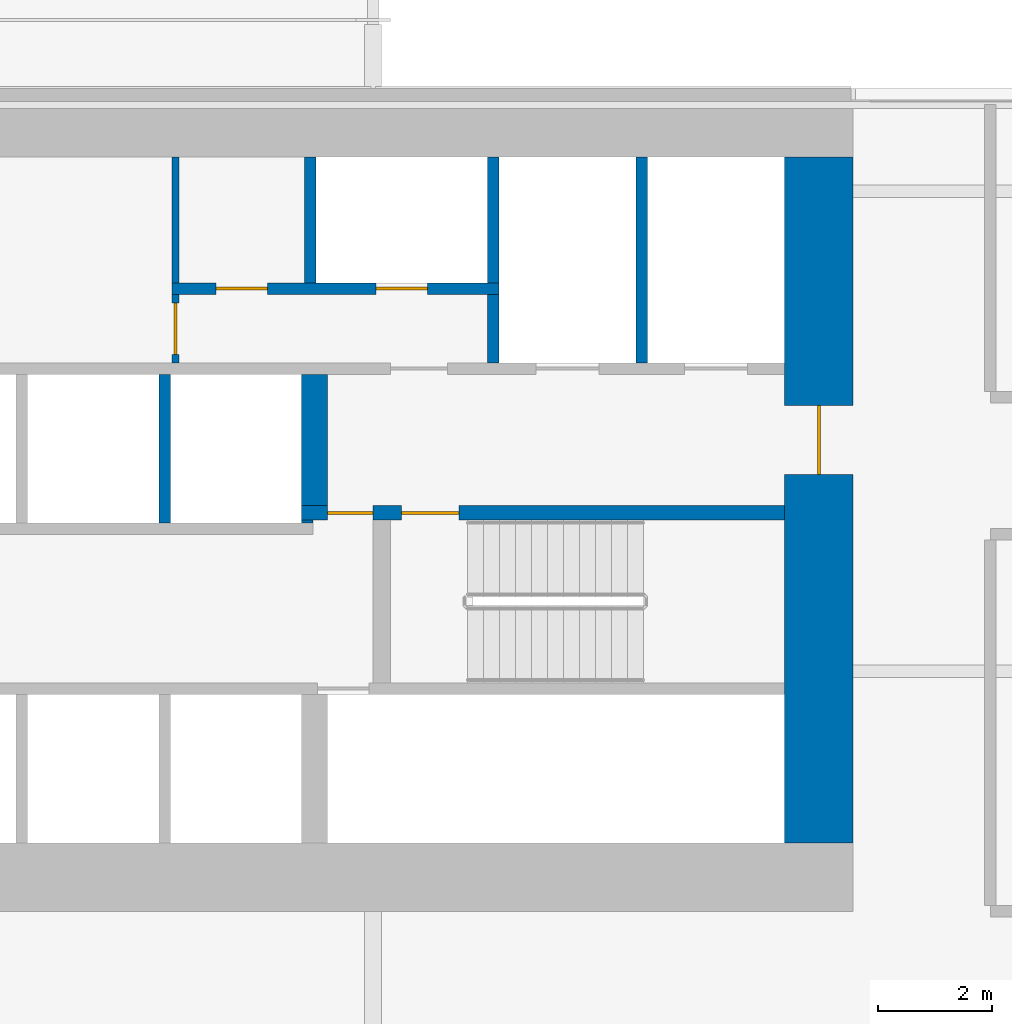
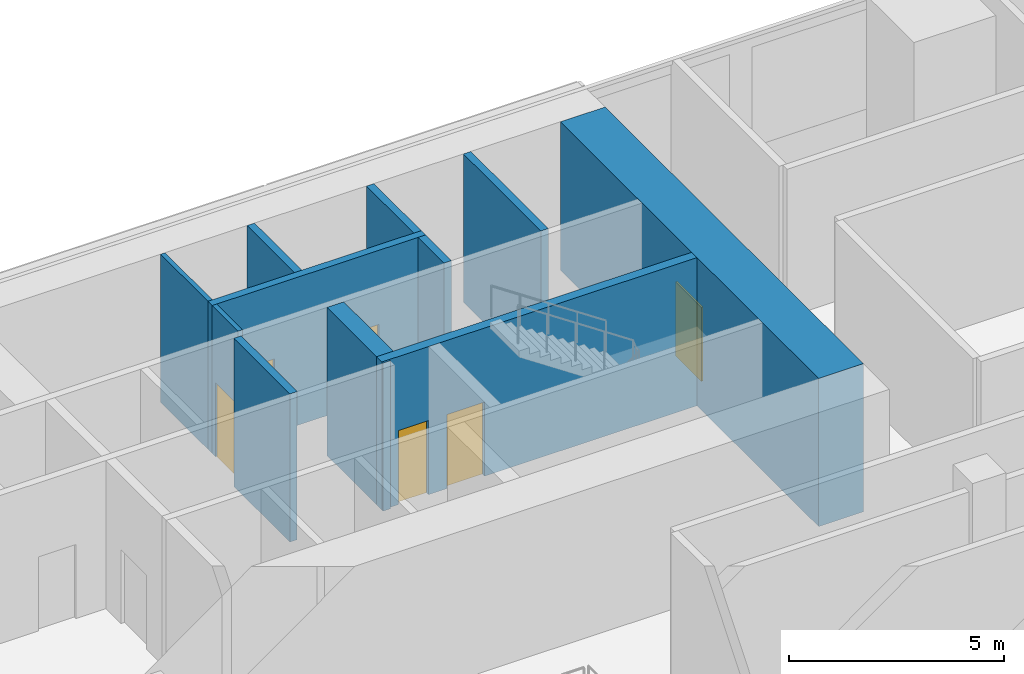
# One storey, part 17 of 24: 12 walls, 6 doors, 6 openings.
"""IFC4 building model written with IfcOpenShell, lengths in metres."""

from ifc_helpers import new_model, si_unit, direction, frame, frame_2d, origin, place, context, subcontext, project, spatial, rectangle, extrude, material, layer, layer_set, type_object, element, fill, save


model = new_model("IFC4")

# Units and contexts
model_context = context("Model", 3, precision=1e-05, world=origin(), true_north=direction((0.0, 1.0)))
body_context = subcontext(model_context, "Body", "Model", "MODEL_VIEW")
ifc_project = project(units=[si_unit("LENGTHUNIT", "METRE"), si_unit("AREAUNIT", "SQUARE_METRE"), si_unit("VOLUMEUNIT", "CUBIC_METRE"), si_unit("PLANEANGLEUNIT", "RADIAN"), si_unit("MASSUNIT", "GRAM", prefix="KILO")], contexts=[model_context])

# Site, building, storey
site_placement = place(None, origin())
site = spatial("IfcSite", under=ifc_project, at=site_placement, CompositionType="ELEMENT")
building_placement = place(site_placement, origin())
building = spatial("IfcBuilding", under=site, at=building_placement, Name="Saffron Gate Tower", CompositionType="ELEMENT")
storey_placement = place(building_placement, frame((0.0, 0.0, 28.199951171875)))
storey = spatial("IfcBuildingStorey", under=building, at=storey_placement, Name="L05", CompositionType="ELEMENT", Elevation=28.199951171875)

# Wall, opening, door
ifc_material_1 = material(Name="Concrete C70", Category="concrete")
ifc_layer_1 = layer(ifc_material_1, 1.199951171875)
ifc_layer_set_1 = layer_set([ifc_layer_1], Name="CW1 RC core wall 1200 C70")
wall_type_1 = type_object("IfcWallType", Name="CW1 RC core wall 1200 C70", PredefinedType="SOLIDWALL", material=ifc_layer_set_1)
wall_1_placement = place(storey_placement, frame((108.0, 62.39990234375, 0.0), z_axis=(0.0, 0.0, 1.0), x_axis=(0.0, 1.0, 0.0)))
wall_1 = element("IfcWall", 1, at=wall_1_placement, inside=storey, type_object=wall_type_1, Name="Wall CW1-L05-4", PredefinedType="SOLIDWALL", context=body_context, shape_type="SweptSolid", body=[
    extrude(rectangle(XDim=12.0, YDim=1.199951171875, at=frame_2d((6.0, 0.0))), origin(), (0.0, 0.0, 1.0), 4.199951171875),
])
opening_1_placement = place(wall_1_placement, frame((6.449951171875, 0.0, 0.0)))
opening_1 = element("IfcOpeningElement", 2, at=opening_1_placement, cuts=wall_1, Name="Opening CR-08", PredefinedType="OPENING", context=body_context, shape_type="SweptSolid", body=[
    extrude(rectangle(XDim=1.199951171875, YDim=2.10009765625, at=frame_2d((0.60009765625, 1.050048828125))), frame((0.0, 0.60986328125, 0.0), z_axis=(0.0, -1.0, 0.0), x_axis=(1.0, 0.0, 0.0)), (0.0, 0.0, 1.0), 1.219970703125),
])
ifc_material_2 = material(Name="Steel fire door set", Category="steel")
door_type_1 = type_object("IfcDoorType", Name="CD7 Core entrance door 1200x2100 EI 120", OperationType="NOTDEFINED", PredefinedType="DOOR", material=ifc_material_2)
door_1_placement = place(opening_1_placement, origin())
door_1 = element("IfcDoor", 3, at=door_1_placement, inside=storey, type_object=door_type_1, Name="DOOR CR-08", OperationType="SINGLE_SWING_RIGHT", OverallHeight=2.10009765625, OverallWidth=1.199951171875, PredefinedType="DOOR", context=body_context, shape_type="SweptSolid", body=[
    extrude(rectangle(XDim=1.199951171875, YDim=2.10009765625, at=frame_2d((0.60009765625, 1.050048828125))), frame((0.0, 0.02490234375, 0.0), z_axis=(0.0, -1.0, 0.0), x_axis=(1.0, 0.0, 0.0)), (0.0, 0.0, 1.0), 0.050048828125),
])
fill(opening_1, door_1)

# Wall, openings, doors
ifc_layer_2 = layer(ifc_material_1, 0.25)
ifc_layer_set_2 = layer_set([ifc_layer_2], Name="CW2 RC core wall 250 C70")
wall_type_2 = type_object("IfcWallType", Name="CW2 RC core wall 250 C70", PredefinedType="SOLIDWALL", material=ifc_layer_set_2)
wall_2_placement = place(storey_placement, frame((98.949951171875, 68.175048828125, 0.0), z_axis=(0.0, 0.0, 1.0), x_axis=(1.0, 0.0, 0.0)))
wall_2 = element("IfcWall", 4, at=wall_2_placement, inside=storey, type_object=wall_type_2, Name="Wall CW2-L05-31", PredefinedType="SOLIDWALL", context=body_context, shape_type="SweptSolid", body=[
    extrude(rectangle(XDim=8.449951171875, YDim=0.25, at=frame_2d((4.22509765625, 0.0))), origin(), (0.0, 0.0, 1.0), 4.199951171875),
])
opening_2_placement = place(wall_2_placement, frame((0.449951171875, 0.0, 0.0)))
opening_2 = element("IfcOpeningElement", 5, at=opening_2_placement, cuts=wall_2, Name="Opening CR-05", PredefinedType="OPENING", context=body_context, shape_type="SweptSolid", body=[
    extrude(rectangle(XDim=0.800048828125, YDim=2.10009765625, at=frame_2d((0.39990234375, 1.050048828125))), frame((0.0, 0.135009765625, 0.0), z_axis=(0.0, -1.0, 0.0), x_axis=(1.0, 0.0, 0.0)), (0.0, 0.0, 1.0), 0.27001953125),
])
opening_3_placement = place(wall_2_placement, frame((1.75, 0.0, 0.0)))
opening_3 = element("IfcOpeningElement", 6, at=opening_3_placement, cuts=wall_2, Name="Opening CR-16", PredefinedType="OPENING", context=body_context, shape_type="SweptSolid", body=[
    extrude(rectangle(XDim=1.0, YDim=2.10009765625, at=frame_2d((0.5, 1.050048828125))), frame((0.0, 0.135009765625, 0.0), z_axis=(0.0, -1.0, 0.0), x_axis=(1.0, 0.0, 0.0)), (0.0, 0.0, 1.0), 0.27001953125),
])
door_type_2 = type_object("IfcDoorType", Name="CD5 Stair door 1000x2100 EI 120", OperationType="NOTDEFINED", PredefinedType="DOOR", material=ifc_material_2)
door_2_placement = place(opening_3_placement, origin())
door_2 = element("IfcDoor", 7, at=door_2_placement, inside=storey, type_object=door_type_2, Name="DOOR CR-16", OperationType="SINGLE_SWING_RIGHT", OverallHeight=2.10009765625, OverallWidth=1.0, PredefinedType="DOOR", context=body_context, shape_type="SweptSolid", body=[
    extrude(rectangle(XDim=1.0, YDim=2.10009765625, at=frame_2d((0.5, 1.050048828125))), frame((0.0, 0.02490234375, 0.0), z_axis=(0.0, -1.0, 0.0), x_axis=(1.0, 0.0, 0.0)), (0.0, 0.0, 1.0), 0.050048828125),
])
fill(opening_3, door_2)
door_type_3 = type_object("IfcDoorType", Name="CD6 Lobby door 800x2100 EI 120", OperationType="NOTDEFINED", PredefinedType="DOOR", material=ifc_material_2)
door_3_placement = place(opening_2_placement, origin())
door_3 = element("IfcDoor", 8, at=door_3_placement, inside=storey, type_object=door_type_3, Name="DOOR CR-05", OperationType="SINGLE_SWING_LEFT", OverallHeight=2.10009765625, OverallWidth=0.800048828125, PredefinedType="DOOR", context=body_context, shape_type="SweptSolid", body=[
    extrude(rectangle(XDim=0.800048828125, YDim=2.10009765625, at=frame_2d((0.39990234375, 1.050048828125))), frame((0.0, 0.02490234375, 0.0), z_axis=(0.0, -1.0, 0.0), x_axis=(1.0, 0.0, 0.0)), (0.0, 0.0, 1.0), 0.050048828125),
])
fill(opening_2, door_3)

# Walls
ifc_layer_3 = layer(ifc_material_1, 0.199951171875)
ifc_layer_set_3 = layer_set([ifc_layer_3], Name="CW3 RC core wall 200 C70")
wall_type_3 = type_object("IfcWallType", Name="CW3 RC core wall 200 C70", PredefinedType="SOLIDWALL", material=ifc_layer_set_3)
wall_3_placement = place(storey_placement, frame((96.550048828125, 68.0, 0.0), z_axis=(0.0, 0.0, 1.0), x_axis=(0.0, 1.0, 0.0)))
element("IfcWall", 9, at=wall_3_placement, inside=storey, type_object=wall_type_3, Name="Wall CW3-L05-28", PredefinedType="SOLIDWALL", context=body_context, shape_type="SweptSolid", body=[
    extrude(rectangle(XDim=2.60009765625, YDim=0.199951171875, at=frame_2d((1.300048828125, 0.0))), origin(), (0.0, 0.0, 1.0), 4.199951171875),
])
wall_4_placement = place(storey_placement, frame((102.300048828125, 70.800048828125, 0.0), z_axis=(0.0, 0.0, 1.0), x_axis=(0.0, 1.0, 0.0)))
element("IfcWall", 10, at=wall_4_placement, inside=storey, type_object=wall_type_3, Name="Wall CW3-L05-40", PredefinedType="SOLIDWALL", context=body_context, shape_type="SweptSolid", body=[
    extrude(rectangle(XDim=1.199951171875, YDim=0.199951171875, at=frame_2d((0.60009765625, 0.0))), origin(), (0.0, 0.0, 1.0), 4.199951171875),
])
wall_5_placement = place(storey_placement, frame((104.89990234375, 70.800048828125, 0.0), z_axis=(0.0, 0.0, 1.0), x_axis=(0.0, 1.0, 0.0)))
element("IfcWall", 11, at=wall_5_placement, inside=storey, type_object=wall_type_3, Name="Wall CW3-L05-41", PredefinedType="SOLIDWALL", context=body_context, shape_type="SweptSolid", body=[
    extrude(rectangle(XDim=3.599853515625, YDim=0.199951171875, at=frame_2d((1.7998046875, 0.0))), origin(), (0.0, 0.0, 1.0), 4.199951171875),
])

# Wall, openings, doors
wall_6_placement = place(storey_placement, frame((96.679931640625, 72.10009765625, 0.0), z_axis=(0.0, 0.0, 1.0), x_axis=(1.0, 0.0, 0.0)))
wall_6 = element("IfcWall", 12, at=wall_6_placement, inside=storey, type_object=wall_type_3, Name="Wall CW3-L05-43", PredefinedType="SOLIDWALL", context=body_context, shape_type="SweptSolid", body=[
    extrude(rectangle(XDim=5.719970703125, YDim=0.199951171875, at=frame_2d((2.85986328125, 0.0))), origin(), (0.0, 0.0, 1.0), 4.199951171875),
])
opening_4_placement = place(wall_6_placement, frame((0.77001953125, 0.0, 0.0)))
opening_4 = element("IfcOpeningElement", 13, at=opening_4_placement, cuts=wall_6, Name="Opening CR-50", PredefinedType="OPENING", context=body_context, shape_type="SweptSolid", body=[
    extrude(rectangle(XDim=0.89990234375, YDim=2.10009765625, at=frame_2d((0.449951171875, 1.050048828125))), frame((0.0, 0.10986328125, 0.0), z_axis=(0.0, -1.0, 0.0), x_axis=(1.0, 0.0, 0.0)), (0.0, 0.0, 1.0), 0.219970703125),
])
opening_5_placement = place(wall_6_placement, frame((3.570068359375, 0.0, 0.0)))
opening_5 = element("IfcOpeningElement", 14, at=opening_5_placement, cuts=wall_6, Name="Opening CR-70", PredefinedType="OPENING", context=body_context, shape_type="SweptSolid", body=[
    extrude(rectangle(XDim=0.89990234375, YDim=2.10009765625, at=frame_2d((0.449951171875, 1.050048828125))), frame((0.0, 0.10986328125, 0.0), z_axis=(0.0, -1.0, 0.0), x_axis=(1.0, 0.0, 0.0)), (0.0, 0.0, 1.0), 0.219970703125),
])
door_type_4 = type_object("IfcDoorType", Name="CD2 Riser door 900x2100 EI 60", OperationType="NOTDEFINED", PredefinedType="DOOR", material=ifc_material_2)
door_4_placement = place(opening_5_placement, origin())
door_4 = element("IfcDoor", 15, at=door_4_placement, inside=storey, type_object=door_type_4, Name="DOOR CR-70", OperationType="SINGLE_SWING_LEFT", OverallHeight=2.10009765625, OverallWidth=0.89990234375, PredefinedType="DOOR", context=body_context, shape_type="SweptSolid", body=[
    extrude(rectangle(XDim=0.89990234375, YDim=2.10009765625, at=frame_2d((0.449951171875, 1.050048828125))), frame((0.0, 0.02490234375, 0.0), z_axis=(0.0, -1.0, 0.0), x_axis=(1.0, 0.0, 0.0)), (0.0, 0.0, 1.0), 0.050048828125),
])
fill(opening_5, door_4)
door_type_5 = type_object("IfcDoorType", Name="CD9 Room door 900x2100 EI 60", OperationType="NOTDEFINED", PredefinedType="DOOR", material=ifc_material_2)
door_5_placement = place(opening_4_placement, origin())
door_5 = element("IfcDoor", 16, at=door_5_placement, inside=storey, type_object=door_type_5, Name="DOOR CR-50", OperationType="SINGLE_SWING_LEFT", OverallHeight=2.10009765625, OverallWidth=0.89990234375, PredefinedType="DOOR", context=body_context, shape_type="SweptSolid", body=[
    extrude(rectangle(XDim=0.89990234375, YDim=2.10009765625, at=frame_2d((0.449951171875, 1.050048828125))), frame((0.0, 0.02490234375, 0.0), z_axis=(0.0, -1.0, 0.0), x_axis=(1.0, 0.0, 0.0)), (0.0, 0.0, 1.0), 0.050048828125),
])
fill(opening_4, door_5)

# Walls
for number, where, z_axis, x_axis, name in (
    (17, (99.10009765625, 72.199951171875, 0.0), (0.0, 0.0, 1.0), (0.0, 1.0, 0.0), "Wall CW3-L05-50"),
    (18, (102.300048828125, 72.199951171875, 0.0), (0.0, 0.0, 1.0), (0.0, 1.0, 0.0), "Wall CW3-L05-51"),
):
    element("IfcWall", number, at=place(storey_placement, frame(where, z_axis=z_axis, x_axis=x_axis)), inside=storey, type_object=wall_type_3, Name=name, PredefinedType="SOLIDWALL", context=body_context, shape_type="SweptSolid", body=[
        extrude(rectangle(XDim=2.199951171875, YDim=0.199951171875, at=frame_2d((1.10009765625, 0.0))), origin(), (0.0, 0.0, 1.0), 4.199951171875),
    ])
ifc_layer_4 = layer(ifc_material_1, 0.449951171875)
ifc_layer_set_4 = layer_set([ifc_layer_4], Name="CW4 RC core wall 450 C70")
wall_type_4 = type_object("IfcWallType", Name="CW4 RC core wall 450 C70", PredefinedType="SOLIDWALL", material=ifc_layer_set_4)
wall_7_placement = place(storey_placement, frame((99.175048828125, 68.300048828125, 0.0), z_axis=(0.0, 0.0, 1.0), x_axis=(0.0, 1.0, 0.0)))
element("IfcWall", 19, at=wall_7_placement, inside=storey, type_object=wall_type_4, Name="Wall CW4-L05-33", PredefinedType="SOLIDWALL", context=body_context, shape_type="SweptSolid", body=[
    extrude(rectangle(XDim=2.300048828125, YDim=0.449951171875, at=frame_2d((1.14990234375, 0.0))), origin(), (0.0, 0.0, 1.0), 4.199951171875),
])
ifc_layer_5 = layer(ifc_material_1, 0.050048828125)
ifc_layer_set_5 = layer_set([ifc_layer_5], Name="CW6 RC core wall 50 C70")
wall_type_5 = type_object("IfcWallType", Name="CW6 RC core wall 50 C70", PredefinedType="SOLIDWALL", material=ifc_layer_set_5)
wall_8_placement = place(storey_placement, frame((98.949951171875, 68.02490234375, 0.0), z_axis=(0.0, 0.0, 1.0), x_axis=(1.0, 0.0, 0.0)))
element("IfcWall", 20, at=wall_8_placement, inside=storey, type_object=wall_type_5, Name="Wall CW6-L05-29", PredefinedType="SOLIDWALL", context=body_context, shape_type="SweptSolid", body=[
    extrude(rectangle(XDim=0.199951171875, YDim=0.050048828125, at=frame_2d((0.10009765625, 0.0))), origin(), (0.0, 0.0, 1.0), 4.199951171875),
])

# Wall, opening, door
ifc_material_3 = material(Name="Gypsum board partition on steel studs", Category="steel")
ifc_layer_6 = layer(ifc_material_3, 0.1201171875)
ifc_layer_set_6 = layer_set([ifc_layer_6], Name="CW8 Core partition 120")
wall_type_6 = type_object("IfcWallType", Name="CW8 Core partition 120", PredefinedType="PARTITIONING", material=ifc_layer_set_6)
wall_9_placement = place(storey_placement, frame((96.739990234375, 70.800048828125, 0.0), z_axis=(0.0, 0.0, 1.0), x_axis=(0.0, 1.0, 0.0)))
wall_9 = element("IfcWall", 21, at=wall_9_placement, inside=storey, type_object=wall_type_6, Name="Wall CW8-L05-39", PredefinedType="PARTITIONING", context=body_context, shape_type="SweptSolid", body=[
    extrude(rectangle(XDim=1.199951171875, YDim=0.1201171875, at=frame_2d((0.60009765625, 0.0))), origin(), (0.0, 0.0, 1.0), 4.199951171875),
])
opening_6_placement = place(wall_9_placement, frame((0.14990234375, 0.0, 0.0)))
opening_6 = element("IfcOpeningElement", 22, at=opening_6_placement, cuts=wall_9, Name="Opening CR-54", PredefinedType="OPENING", context=body_context, shape_type="SweptSolid", body=[
    extrude(rectangle(XDim=0.89990234375, YDim=2.10009765625, at=frame_2d((0.449951171875, 1.050048828125))), frame((0.0, 0.070068359375, 0.0), z_axis=(0.0, -1.0, 0.0), x_axis=(1.0, 0.0, 0.0)), (0.0, 0.0, 1.0), 0.14013671875),
])
door_6_placement = place(opening_6_placement, origin())
door_6 = element("IfcDoor", 23, at=door_6_placement, inside=storey, type_object=door_type_5, Name="DOOR CR-54", OperationType="SINGLE_SWING_LEFT", OverallHeight=2.10009765625, OverallWidth=0.89990234375, PredefinedType="DOOR", context=body_context, shape_type="SweptSolid", body=[
    extrude(rectangle(XDim=0.89990234375, YDim=2.10009765625, at=frame_2d((0.449951171875, 1.050048828125))), frame((0.0, 0.02490234375, 0.0), z_axis=(0.0, -1.0, 0.0), x_axis=(1.0, 0.0, 0.0)), (0.0, 0.0, 1.0), 0.050048828125),
])
fill(opening_6, door_6)

# Wall
wall_10_placement = place(storey_placement, frame((96.739990234375, 72.199951171875, 0.0), z_axis=(0.0, 0.0, 1.0), x_axis=(0.0, 1.0, 0.0)))
element("IfcWall", 24, at=wall_10_placement, inside=storey, type_object=wall_type_6, Name="Wall CW8-L05-49", PredefinedType="PARTITIONING", context=body_context, shape_type="SweptSolid", body=[
    extrude(rectangle(XDim=2.199951171875, YDim=0.1201171875, at=frame_2d((1.10009765625, 0.0))), origin(), (0.0, 0.0, 1.0), 4.199951171875),
])

save(model, "model.ifc")
